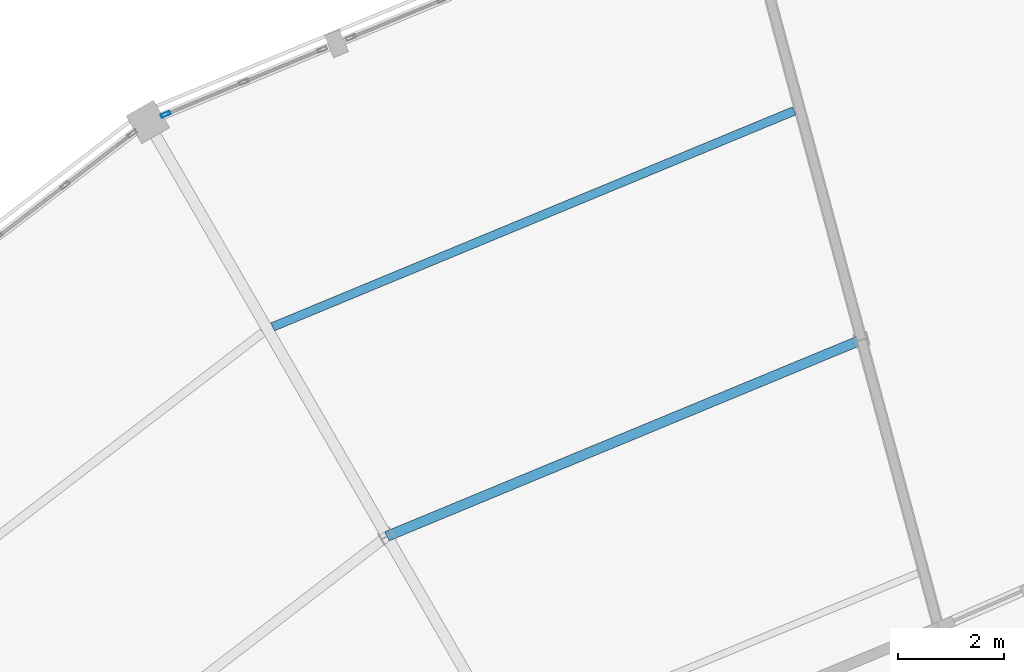
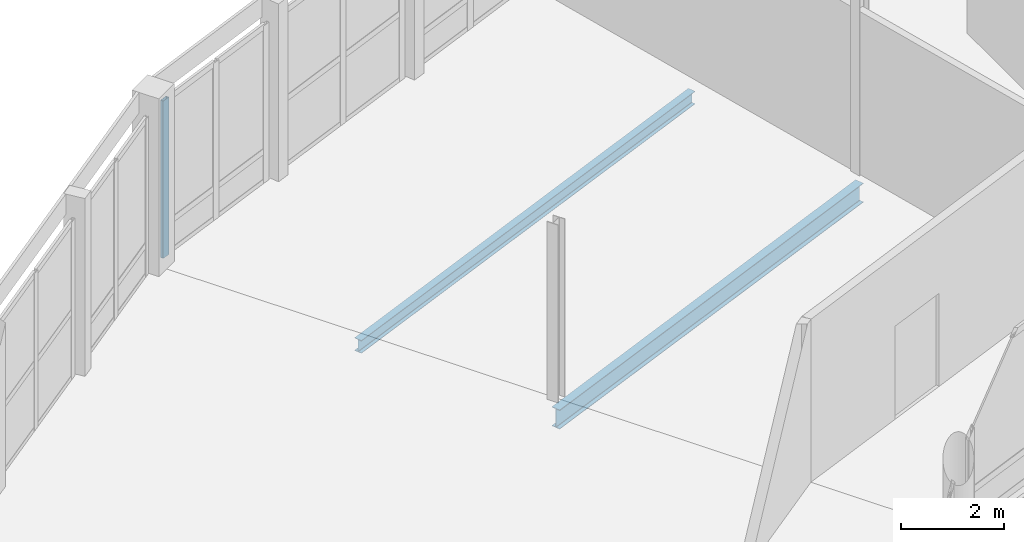
# One storey, part 94 of 200: 2 beams, 1 member, 1 element without a shape of its own.
"""IFC4 building model written with IfcOpenShell, lengths in metres."""

from ifc_helpers import new_model, si_unit, direction, frame, origin, origin_2d, place, context, subcontext, project, spatial, hollow_rectangle, i_section, extrude, material, material_profile, profile_set, type_object, element, aggregate, save


model = new_model("IFC4")

# Units and contexts
model_context = context("Model", 3, precision=1e-05, world=origin(), true_north=direction((0.0, 1.0)))
body_context = subcontext(model_context, "Body", "Model", "MODEL_VIEW")
ifc_project = project(units=[si_unit("LENGTHUNIT", "METRE"), si_unit("AREAUNIT", "SQUARE_METRE"), si_unit("VOLUMEUNIT", "CUBIC_METRE"), si_unit("PLANEANGLEUNIT", "RADIAN"), si_unit("MASSUNIT", "GRAM", prefix="KILO")], contexts=[model_context])

# Site, building, storey
site_placement = place(None, origin())
site = spatial("IfcSite", under=ifc_project, at=site_placement, CompositionType="ELEMENT")
building_placement = place(site_placement, origin())
building = spatial("IfcBuilding", under=site, at=building_placement, Name="Vondelvale Polytechnic", CompositionType="ELEMENT")
storey_placement = place(building_placement, frame((0.0, 0.0, 13.800048828125)))
storey = spatial("IfcBuildingStorey", under=building, at=storey_placement, Name="L03", CompositionType="ELEMENT", Elevation=13.800048828125)

# Beam
ifc_material_1 = material(Name="Steel 300PLUS (fy = 300 MPa)", Category="steel")
ifc_material_profile_1 = material_profile(ifc_material_1, i_section(OverallWidth=0.18994140625, OverallDepth=0.4541015625, WebThickness=0.008544921875, FlangeThickness=0.0126953125, FilletRadius=0.011474609375, at=origin_2d()), Name="460UB67.1")
ifc_profile_set_1 = profile_set([ifc_material_profile_1], Name="Steel 300PLUS (fy = 300 MPa)")
beam_type_1 = type_object("IfcBeamType", Name="BM-UB460L", PredefinedType="BEAM", material=ifc_profile_set_1)
beam_1_placement = place(storey_placement, frame((92.423583984375, 107.7392578125, -0.47705078125), z_axis=(-0.923878816854, -0.38268516011, 0.0), x_axis=(0.38268516011, -0.923878816854, 0.0)))
element("IfcBeam", 1, at=beam_1_placement, inside=storey, type_object=beam_type_1, Name="L03 RB B-22", PredefinedType="BEAM", context=body_context, shape_type="SweptSolid", body=[
    extrude(i_section(OverallWidth=0.18994140625, OverallDepth=0.4541015625, WebThickness=0.008544921875, FlangeThickness=0.0126953125, FilletRadius=0.011474609375, at=origin_2d()), origin(), (0.0, 0.0, 1.0), 9.658935546875),
])

# Curtain wall, member
ifc_material_2 = material(Name="Glulam GL18 structural Tasmanian oak (fb = 42 MPa)", Category="wood")
curtain_wall_type = type_object("IfcCurtainWallType", Name="CW-RING-OUTER", PredefinedType="NOTDEFINED", material=ifc_material_2)
curtain_wall_placement = place(storey_placement, origin())
curtain_wall = element("IfcCurtainWall", 2, at=curtain_wall_placement, inside=storey, type_object=curtain_wall_type, Name="L03 architectural curtain wall CW-04-186", PredefinedType="NOTDEFINED")
ifc_material_3 = material(Name="Anodised extruded aluminium 6063-T6", Category="aluminium")
ifc_material_profile_2 = material_profile(ifc_material_3, hollow_rectangle(XDim=0.06494140625, YDim=0.179931640625, WallThickness=0.00390625, at=origin_2d()), Name="CW-MUL-180x65")
ifc_profile_set_2 = profile_set([ifc_material_profile_2], Name="Anodised extruded aluminium 6063-T6")
member_type = type_object("IfcMemberType", Name="CW-MUL-65x180", PredefinedType="MULLION", material=ifc_profile_set_2)
member_placement = place(storey_placement, frame((79.33740234375, 111.97705078125, 0.0), z_axis=(0.0, 0.0, 1.0), x_axis=(0.382677394529, -0.923882033442, 0.0)))
member = element("IfcMember", 3, at=member_placement, type_object=member_type, Name="CW-04-186 mullion 3", PredefinedType="MULLION", context=body_context, shape_type="SweptSolid", body=[
    extrude(hollow_rectangle(XDim=0.06494140625, YDim=0.179931640625, WallThickness=0.00390625, at=origin_2d()), origin(), (0.0, 0.0, 1.0), 3.719970703125),
])
aggregate(curtain_wall, [member])

# Beam
ifc_material_profile_3 = material_profile(ifc_material_1, i_section(OverallWidth=0.1650390625, OverallDepth=0.303955078125, WebThickness=0.006103515625, FlangeThickness=0.01025390625, FilletRadius=0.011474609375, at=origin_2d()), Name="310UB40.4")
ifc_profile_set_3 = profile_set([ifc_material_profile_3], Name="Steel 300PLUS (fy = 300 MPa)")
beam_type_2 = type_object("IfcBeamType", Name="JST-UB310", PredefinedType="JOIST", material=ifc_profile_set_3)
beam_2_placement = place(storey_placement, frame((91.157470703125, 112.043701171875, -0.402099609375), z_axis=(-0.923886751865, -0.382666002839, 0.0), x_axis=(0.382666002839, -0.923886751865, 0.0)))
element("IfcBeam", 4, at=beam_2_placement, inside=storey, type_object=beam_type_2, Name="L03 RJ J-05", PredefinedType="JOIST", context=body_context, shape_type="SweptSolid", body=[
    extrude(i_section(OverallWidth=0.1650390625, OverallDepth=0.303955078125, WebThickness=0.006103515625, FlangeThickness=0.01025390625, FilletRadius=0.011474609375, at=origin_2d()), origin(), (0.0, 0.0, 1.0), 10.61376953125),
])

save(model, "model.ifc")
